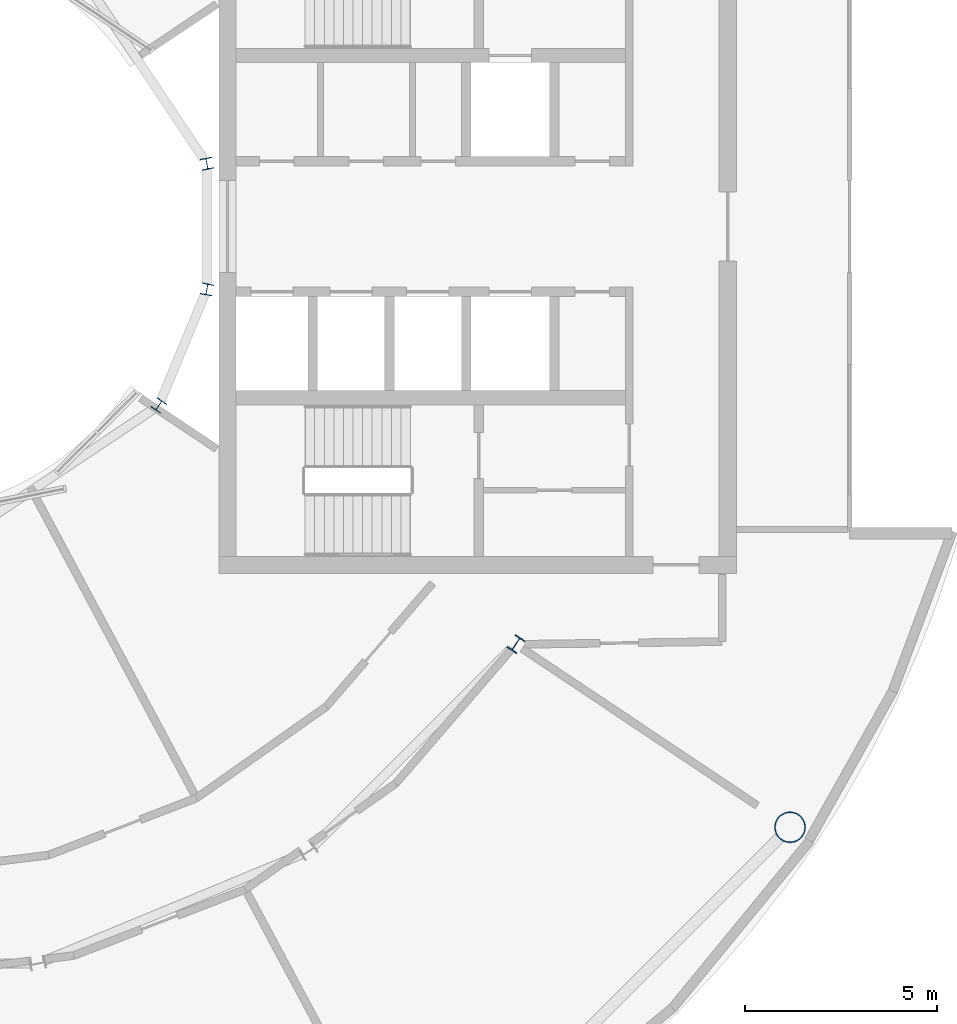
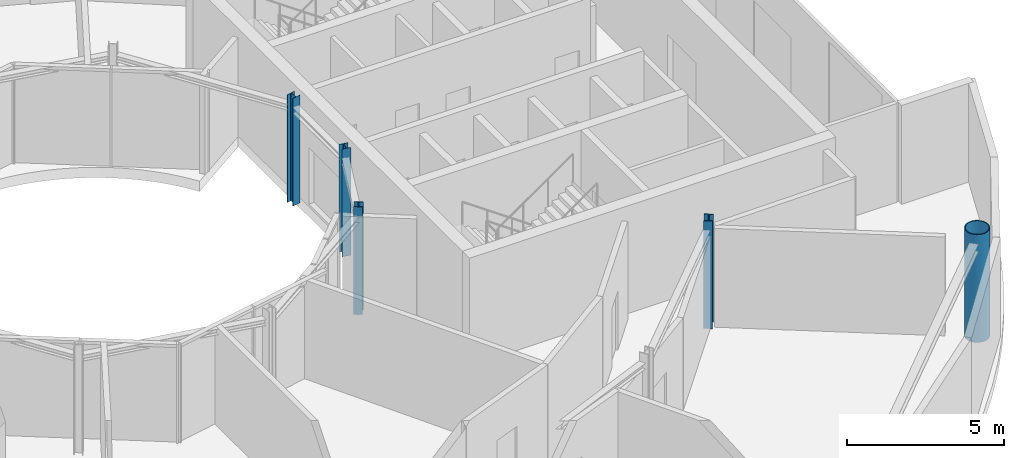
# One storey, part 3 of 19: 5 columns.
"""IFC4 building model written with IfcOpenShell, lengths in metres."""

import ifcopenshell
import ifcopenshell.guid

model = None  # the IFC model being written
_history = None  # IfcOwnerHistory: only IFC2X3 demands one
_inside = {}  # id of a spatial element -> (the spatial element, [elements in it])
_under = {}  # id of a project, library or spatial element -> (it, [spatial elements below it])
_declared = {}  # id of a project -> (the project, [libraries it declares])
_typed = {}  # id of a type object -> (the type object, [elements of that type])
_made_of = {}  # id of a material, layer set ... -> (it, [elements and type objects made of it])


def new_model(schema):
    """Start an empty IFC model of exactly this schema.

    Asked for "IFC4X3", IfcOpenShell would pick the latest addendum, in which some entities
    have other attributes; the version numbers below select the first issue.
    IFC2X3 requires an IfcOwnerHistory on every rooted entity: one is made here for all.
    """
    global model, _history
    if schema == "IFC4X3":
        model = ifcopenshell.file(schema_version=(4, 3, 0, 0))
    else:
        model = ifcopenshell.file(schema=schema)
    _inside.clear()
    _under.clear()
    _declared.clear()
    _typed.clear()
    _made_of.clear()
    _history = None
    if model.schema == "IFC2X3":
        org = make("IfcOrganization", Name="unknown")
        user = make(
            "IfcPersonAndOrganization",
            ThePerson=make("IfcPerson", FamilyName="unknown"),
            TheOrganization=org,
        )
        app = make(
            "IfcApplication",
            ApplicationDeveloper=org,
            Version="unknown",
            ApplicationFullName="unknown",
            ApplicationIdentifier="unknown",
        )
        _history = make(
            "IfcOwnerHistory",
            OwningUser=user,
            OwningApplication=app,
            ChangeAction="ADDED",
            CreationDate=0,
        )
    return model


def make(cls, **values):
    """One entity of the class cls with the attributes given. An attribute that is None is left unset."""
    return model.create_entity(
        cls, **{name: value for name, value in values.items() if value is not None}
    )


def rooted(cls, **values):
    """An entity with a GlobalId (a new one), such as an element, a storey or a relation."""
    return make(cls, GlobalId=ifcopenshell.guid.new(), OwnerHistory=_history, **values)


def si_unit(unit_type, name, prefix=None):
    """IfcSIUnit, for example si_unit("LENGTHUNIT", "METRE", prefix="MILLI")."""
    return make("IfcSIUnit", UnitType=unit_type, Prefix=prefix, Name=name)


def assignment(units):
    """IfcUnitAssignment: the units of a project."""
    return None if units is None else make("IfcUnitAssignment", Units=units)


def point(xyz):
    """IfcCartesianPoint."""
    return None if xyz is None else make("IfcCartesianPoint", Coordinates=xyz)


def direction(xyz):
    """IfcDirection."""
    return None if xyz is None else make("IfcDirection", DirectionRatios=xyz)


def frame(location, z_axis=None, x_axis=None):
    """IfcAxis2Placement3D, a coordinate frame: its origin and axes. An axis left out is left unset."""
    return make(
        "IfcAxis2Placement3D",
        Location=point(location),
        Axis=direction(z_axis),
        RefDirection=direction(x_axis),
    )


def frame_2d(location, x_axis=None):
    """IfcAxis2Placement2D, a coordinate frame in the plane: its origin and x axis."""
    return make(
        "IfcAxis2Placement2D", Location=point(location), RefDirection=direction(x_axis)
    )


def origin():
    """The frame at (0, 0, 0) with its axes left unset."""
    return frame((0.0, 0.0, 0.0))


def origin_2d():
    """The frame at (0, 0) in the plane with its x axis left unset."""
    return frame_2d((0.0, 0.0))


def place(relative_to, where):
    """IfcLocalPlacement: puts the frame where relative to a parent placement (None: the world)."""
    return make(
        "IfcLocalPlacement", PlacementRelTo=relative_to, RelativePlacement=where
    )


def context(
    kind, dimensions, precision=None, world=None, true_north=None, identifier=None
):
    """IfcGeometricRepresentationContext, for example the 3D "Model" context."""
    return make(
        "IfcGeometricRepresentationContext",
        ContextIdentifier=identifier,
        ContextType=kind,
        CoordinateSpaceDimension=dimensions,
        Precision=precision,
        WorldCoordinateSystem=world,
        TrueNorth=true_north,
    )


def subcontext(parent, identifier, kind, view, scale=None):
    """IfcGeometricRepresentationSubContext, for example "Body" below "Model"."""
    return make(
        "IfcGeometricRepresentationSubContext",
        ContextIdentifier=identifier,
        ContextType=kind,
        ParentContext=parent,
        TargetScale=scale,
        TargetView=view,
    )


def project(units=None, contexts=None):
    """IfcProject with its units and contexts."""
    return rooted(
        "IfcProject",
        Name="project",
        RepresentationContexts=contexts,
        UnitsInContext=assignment(units),
    )


def spatial(cls, under=None, at=None, **own):
    """A site, building, storey or space (cls), placed at a placement, below another one or the project."""
    s = rooted(cls, ObjectPlacement=at, **own)
    if under is not None:
        _under.setdefault(under.id(), (under, []))[1].append(s)
    return s


def profile(cls, at=None, kind="AREA", **sizes):
    """A parametric profile (cls). Its sizes go by their IFC names, for example OverallWidth=200.0."""
    return make(cls, ProfileType=kind, Position=at, **sizes)


def hollow_circle(**sizes):
    """IfcCircleHollowProfileDef."""
    return profile("IfcCircleHollowProfileDef", **sizes)


def i_section(**sizes):
    """IfcIShapeProfileDef."""
    return profile("IfcIShapeProfileDef", **sizes)


def extrude(swept, where, along, depth):
    """IfcExtrudedAreaSolid: the profile swept, set in the frame where, extruded along a direction by depth."""
    return make(
        "IfcExtrudedAreaSolid",
        SweptArea=swept,
        Position=where,
        ExtrudedDirection=direction(along),
        Depth=depth,
    )


def shape(context_of_items, identifier, shape_type, items):
    """IfcShapeRepresentation: the items that make up one representation, for example the "Body"."""
    return make(
        "IfcShapeRepresentation",
        ContextOfItems=context_of_items,
        RepresentationIdentifier=identifier,
        RepresentationType=shape_type,
        Items=items,
    )


def material(Name=None, Category=None):
    """IfcMaterial."""
    return make("IfcMaterial", Name=Name, Category=Category)


def material_profile(
    of_material, cross_section, Name=None, Category=None, Priority=None
):
    """IfcMaterialProfile: a cross section and its material."""
    return make(
        "IfcMaterialProfile",
        Name=Name,
        Material=of_material,
        Profile=cross_section,
        Priority=Priority,
        Category=Category,
    )


def profile_set(profiles, Name=None, composite=None):
    """IfcMaterialProfileSet."""
    return make(
        "IfcMaterialProfileSet",
        Name=Name,
        MaterialProfiles=profiles,
        CompositeProfile=composite,
    )


def made_of(thing, what):
    """Note that an element or type object is made of a material, layer set ...; save() writes the relation."""
    if what is not None:
        _made_of.setdefault(what.id(), (what, []))[1].append(thing)
    return thing


def type_object(cls, material=None, **own):
    """A type object (cls), such as IfcWallType, which elements share."""
    return made_of(rooted(cls, **own), material)


def element(
    cls,
    number,
    at=None,
    inside=None,
    cuts=None,
    type_object=None,
    material=None,
    context=None,
    identifier="Body",
    shape_type=None,
    held_by="IfcProductDefinitionShape",
    body=None,
    shapes=None,
    **own,
):
    """One element of the class cls, such as IfcWall. Its Tag is "e" and its number.

    at: its placement. inside: the storey or other place that contains it. cuts: it is an
    opening in that element (IfcRelVoidsElement). A single representation is given by context,
    identifier, shape_type and body (its items); several are given by shapes. held_by: the class
    of the entity that holds the representations. save() writes the other relations.
    """
    e = rooted(cls, Tag="e%d" % number, ObjectPlacement=at, **own)
    if body is not None:
        shapes = [shape(context, identifier, shape_type, body)]
    if shapes is not None:
        e.Representation = make(held_by, Representations=shapes)
    if inside is not None:
        _inside.setdefault(inside.id(), (inside, []))[1].append(e)
    if cuts is not None:
        rooted(
            "IfcRelVoidsElement", RelatingBuildingElement=cuts, RelatedOpeningElement=e
        )
    if type_object is not None:
        _typed.setdefault(type_object.id(), (type_object, []))[1].append(e)
    return made_of(e, material)


def aggregate(whole, parts):
    """IfcRelAggregates: a whole, such as a stair, and the parts it consists of."""
    return rooted("IfcRelAggregates", RelatingObject=whole, RelatedObjects=parts)


def save(model, path):
    """Write the relations noted so far, then the file.

    IfcRelAggregates (storeys below a building ...), IfcRelContainedInSpatialStructure (elements
    in a storey), IfcRelDefinesByType, IfcRelAssociatesMaterial and IfcRelDeclares: one each for
    every whole, place, type object, material and project.
    """
    for whole, parts in _under.values():
        aggregate(whole, parts)
    for where, things in _inside.values():
        rooted(
            "IfcRelContainedInSpatialStructure",
            RelatedElements=things,
            RelatingStructure=where,
        )
    for kind, things in _typed.values():
        rooted("IfcRelDefinesByType", RelatedObjects=things, RelatingType=kind)
    for what, things in _made_of.values():
        rooted("IfcRelAssociatesMaterial", RelatedObjects=things, RelatingMaterial=what)
    for by, libraries in _declared.values():
        rooted("IfcRelDeclares", RelatingContext=by, RelatedDefinitions=libraries)
    model.write(path)


model = new_model("IFC4")

# Units and contexts
model_context = context("Model", 3, precision=1e-05, world=origin(), true_north=direction((0.0, 1.0)))
body_context = subcontext(model_context, "Body", "Model", "MODEL_VIEW")
ifc_project = project(units=[si_unit("LENGTHUNIT", "METRE"), si_unit("AREAUNIT", "SQUARE_METRE"), si_unit("VOLUMEUNIT", "CUBIC_METRE"), si_unit("PLANEANGLEUNIT", "RADIAN"), si_unit("MASSUNIT", "GRAM", prefix="KILO")], contexts=[model_context])

# Site, building, storey
site_placement = place(None, origin())
site = spatial("IfcSite", under=ifc_project, at=site_placement, CompositionType="ELEMENT")
building_placement = place(site_placement, origin())
building = spatial("IfcBuilding", under=site, at=building_placement, Name="Maasbend Ring Residences", CompositionType="ELEMENT")
storey_placement = place(building_placement, frame((0.0, 0.0, 186.0)))
storey = spatial("IfcBuildingStorey", under=building, at=storey_placement, Name="L53", CompositionType="ELEMENT", Elevation=186.0)

# Columns
ifc_material_1 = material(Name="Composite concrete-filled steel tube S460NH / C80/95", Category="concrete")
ifc_material_profile_1 = material_profile(ifc_material_1, hollow_circle(Radius=0.406494140625, WallThickness=0.030029296875, at=origin_2d()), Name="Composite tube column CHS 813x30")
ifc_profile_set_1 = profile_set([ifc_material_profile_1], Name="Composite concrete-filled steel tube S460NH / C80/95")
column_type_1 = type_object("IfcColumnType", Name="Composite tube column CHS 813x30", PredefinedType="COLUMN", material=ifc_profile_set_1)
column_1_placement = place(storey_placement, frame((23.447509765625, -15.6669921875, 0.0), z_axis=(0.0, 0.0, 1.0), x_axis=(1.0, 0.0, 0.0)))
element("IfcColumn", 1, at=column_1_placement, inside=storey, type_object=column_type_1, Name="Outer column R15", PredefinedType="COLUMN", context=body_context, shape_type="SweptSolid", body=[
    extrude(hollow_circle(Radius=0.406494140625, WallThickness=0.030029296875, at=origin_2d()), origin(), (0.0, 0.0, 1.0), 4.199951171875),
])
ifc_material_2 = material(Name="Steel S355J2", Category="steel")
ifc_material_profile_2 = material_profile(ifc_material_2, i_section(OverallWidth=0.300048828125, OverallDepth=0.2900390625, WebThickness=0.008544921875, FlangeThickness=0.013916015625, FilletRadius=0.027099609375, at=origin_2d()), Name="HEA 300")
ifc_profile_set_2 = profile_set([ifc_material_profile_2], Name="Steel S355J2")
column_type_2 = type_object("IfcColumnType", Name="Steel column HEA 300", PredefinedType="COLUMN", material=ifc_profile_set_2)
for number, where, z_axis, x_axis, name in (
    (2, (8.238525390625, 1.638916015625, 0.0), (0.0, 0.0, 1.0), (0.980785280403, 0.195090322016, 0.0), "Well ring column R1"),
    (3, (6.984375, -4.666748046875, 0.0), (0.0, 0.0, 1.0), (0.831469612303, -0.55557023302, 0.0), "Well ring column R15"),
    (4, (8.238525390625, -1.638916015625, 0.0), (0.0, 0.0, 1.0), (0.980785280403, -0.195090322016, 0.0), "Well ring column R16"),
):
    element("IfcColumn", number, at=place(storey_placement, frame(where, z_axis=z_axis, x_axis=x_axis)), inside=storey, type_object=column_type_2, Name=name, PredefinedType="COLUMN", context=body_context, shape_type="SweptSolid", body=[
        extrude(i_section(OverallWidth=0.300048828125, OverallDepth=0.2900390625, WebThickness=0.008544921875, FlangeThickness=0.013916015625, FilletRadius=0.027099609375, at=origin_2d()), origin(), (0.0, 0.0, 1.0), 4.199951171875),
    ])
ifc_material_3 = material(Name="Steel S355J2", Category="steel")
ifc_material_profile_3 = material_profile(ifc_material_3, i_section(OverallWidth=0.300048828125, OverallDepth=0.39990234375, WebThickness=0.013427734375, FlangeThickness=0.02392578125, FilletRadius=0.027099609375, at=origin_2d()), Name="HEB 400")
ifc_profile_set_3 = profile_set([ifc_material_profile_3], Name="Steel S355J2")
column_type_3 = type_object("IfcColumnType", Name="Steel column HEB 400", PredefinedType="COLUMN", material=ifc_profile_set_3)
column_2_placement = place(storey_placement, frame((16.296875, -10.88916015625, 0.0), z_axis=(0.0, 0.0, 1.0), x_axis=(0.831469612303, -0.55557023302, 0.0)))
element("IfcColumn", 5, at=column_2_placement, inside=storey, type_object=column_type_3, Name="Corridor ring column R15", PredefinedType="COLUMN", context=body_context, shape_type="SweptSolid", body=[
    extrude(i_section(OverallWidth=0.300048828125, OverallDepth=0.39990234375, WebThickness=0.013427734375, FlangeThickness=0.02392578125, FilletRadius=0.027099609375, at=origin_2d()), origin(), (0.0, 0.0, 1.0), 4.199951171875),
])

save(model, "model.ifc")
